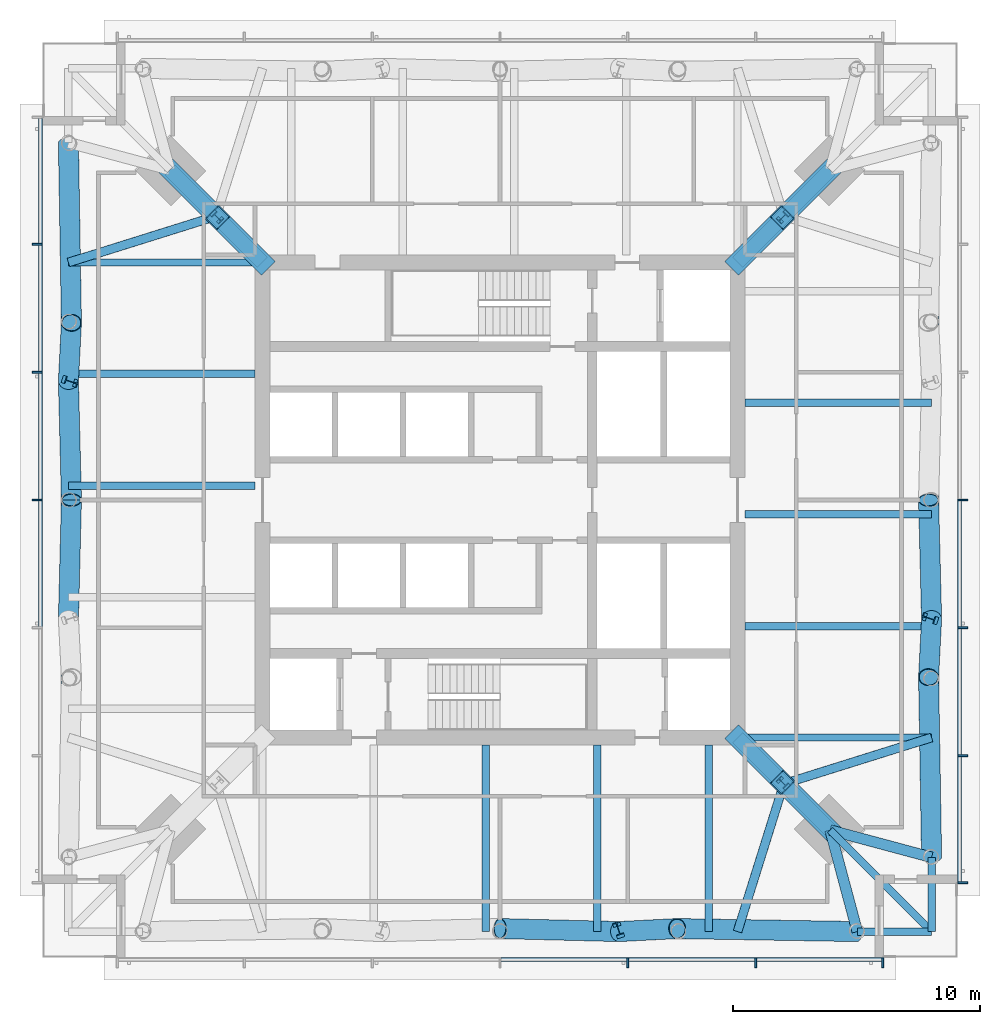
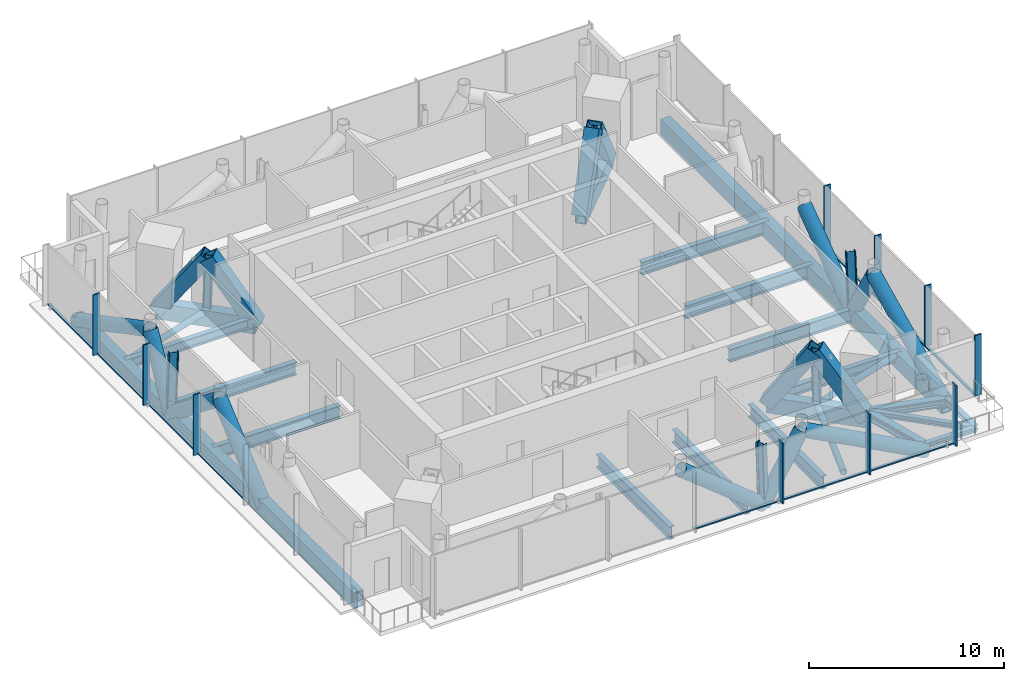
# One storey, part 2 of 10: 50 members, 15 beams, 3 elements without a shape of their own.
"""IFC4 building model written with IfcOpenShell, lengths in metres."""

from ifc_helpers import new_model, si_unit, direction, frame, origin, origin_2d, place, context, subcontext, project, spatial, rectangle, hollow_rectangle, hollow_circle, i_section, extrude, material, material_profile, profile_set, type_object, element, aggregate, save


model = new_model("IFC4")

# Units and contexts
model_context = context("Model", 3, precision=1e-05, world=origin(), true_north=direction((0.0, 1.0)))
body_context = subcontext(model_context, "Body", "Model", "MODEL_VIEW")
ifc_project = project(units=[si_unit("LENGTHUNIT", "METRE"), si_unit("AREAUNIT", "SQUARE_METRE"), si_unit("VOLUMEUNIT", "CUBIC_METRE"), si_unit("PLANEANGLEUNIT", "RADIAN"), si_unit("MASSUNIT", "GRAM", prefix="KILO")], contexts=[model_context])

# Site, building, storey
site_placement = place(None, origin())
site = spatial("IfcSite", under=ifc_project, at=site_placement, CompositionType="ELEMENT")
building_placement = place(site_placement, origin())
building = spatial("IfcBuilding", under=site, at=building_placement, Name="Ostroluk Exchange", CompositionType="ELEMENT")
storey_placement = place(building_placement, frame((0.0, 0.0, 226.199951171875)))
storey = spatial("IfcBuildingStorey", under=building, at=storey_placement, Name="L58", CompositionType="ELEMENT", Elevation=226.199951171875)

# Beams
ifc_material_1 = material(Name="Steel S355", Category="steel")
ifc_material_profile_1 = material_profile(ifc_material_1, i_section(OverallWidth=0.300048828125, OverallDepth=0.300048828125, WebThickness=0.010986328125, FlangeThickness=0.01904296875, FilletRadius=0.027099609375, at=origin_2d()), Name="HEB 300")
ifc_profile_set_1 = profile_set([ifc_material_profile_1], Name="Steel S355")
beam_type_1 = type_object("IfcBeamType", Name="Balcony beam HEB 300", PredefinedType="BEAM", material=ifc_profile_set_1)
for number, where, z_axis, x_axis, name in (
    (1, (59.44287109375, 28.55712890625, -0.429931640625), (1.0, 0.0, 0.0), (0.0, 1.0, 0.0), "T1 south balcony beam a"),
    (2, (62.44287109375, 31.55712890625, -0.429931640625), (0.0, -1.0, 0.0), (1.0, 0.0, 0.0), "T1 south balcony beam b"),
):
    element("IfcBeam", number, at=place(storey_placement, frame(where, z_axis=z_axis, x_axis=x_axis)), inside=storey, type_object=beam_type_1, Name=name, PredefinedType="BEAM", context=body_context, shape_type="SweptSolid", body=[
        extrude(i_section(OverallWidth=0.300048828125, OverallDepth=0.300048828125, WebThickness=0.010986328125, FlangeThickness=0.01904296875, FilletRadius=0.027099609375, at=origin_2d()), origin(), (0.0, 0.0, 1.0), 3.0),
    ])
beam_placement = place(storey_placement, frame((58.3427734375, 32.6572265625, -0.429931640625), z_axis=(0.707106781187, -0.707106781187, 0.0), x_axis=(0.707106781187, 0.707106781187, 0.0)))
element("IfcBeam", 3, at=beam_placement, inside=storey, type_object=beam_type_1, Name="T1 south balcony beam c", PredefinedType="BEAM", context=body_context, shape_type="SweptSolid", body=[
    extrude(i_section(OverallWidth=0.300048828125, OverallDepth=0.300048828125, WebThickness=0.010986328125, FlangeThickness=0.01904296875, FilletRadius=0.027099609375, at=origin_2d()), origin(), (0.0, 0.0, 1.0), 5.79833984375),
])

# Members
ifc_material_2 = material(Name="Steel S460", Category="steel")
ifc_material_profile_2 = material_profile(ifc_material_2, hollow_rectangle(XDim=0.60009765625, YDim=1.0, WallThickness=0.06005859375, at=origin_2d()), Name="BOX 600x1000x60")
ifc_profile_set_2 = profile_set([ifc_material_profile_2], Name="Steel S460")
member_type_1 = type_object("IfcMemberType", Name="Belt truss chord BOX 600x1000x60", PredefinedType="CHORD", material=ifc_profile_set_2)
for number, where, z_axis, x_axis, name in (
    (4, (62.44287109375, 31.55712890625, -0.780029296875), (0.0, 1.0, 0.0), (-1.0, 0.0, 0.0), "Belt truss 3 east chord 1"),
    (5, (27.55712890625, 60.44287109375, -0.780029296875), (0.0, -1.0, 0.0), (1.0, 0.0, 0.0), "Belt truss 3 west chord 1"),
):
    element("IfcMember", number, at=place(storey_placement, frame(where, z_axis=z_axis, x_axis=x_axis)), inside=storey, type_object=member_type_1, Name=name, PredefinedType="CHORD", context=body_context, shape_type="SweptSolid", body=[
        extrude(hollow_rectangle(XDim=0.60009765625, YDim=1.0, WallThickness=0.06005859375, at=origin_2d()), origin(), (0.0, 0.0, 1.0), 28.8857421875),
    ])
ifc_material_3 = material(Name="Steel S460", Category="steel")
ifc_material_profile_3 = material_profile(ifc_material_3, hollow_circle(Radius=0.406494140625, WallThickness=0.030029296875, at=origin_2d()), Name="CHS 813x30")
ifc_profile_set_3 = profile_set([ifc_material_profile_3], Name="Steel S460")
member_type_2 = type_object("IfcMemberType", Name="Belt truss diagonal CHS 813x30", PredefinedType="BRACE", material=ifc_profile_set_3)
member_1_placement = place(storey_placement, frame((62.44287109375, 31.55712890625, -0.780029296875), z_axis=(-0.014770318551, 0.886456864653, 0.462575469301), x_axis=(-0.9998612145, -0.016659884123, 0.0)))
element("IfcMember", 6, at=member_1_placement, inside=storey, type_object=member_type_2, Name="Belt truss 3 east diagonal 1.1", PredefinedType="BRACE", context=body_context, shape_type="SweptSolid", body=[
    extrude(hollow_circle(Radius=0.406494140625, WallThickness=0.030029296875, at=origin_2d()), origin(), (0.0, 0.0, 1.0), 8.215087890625),
])
member_2_placement = place(storey_placement, frame((62.44287109375, 41.185791015625, -0.780029296875), z_axis=(-0.027158569087, -0.525193174027, 0.850549552984), x_axis=(0.99866563179, -0.051642578192, 0.0)))
element("IfcMember", 7, at=member_2_placement, inside=storey, type_object=member_type_2, Name="Belt truss 3 east diagonal 1.2", PredefinedType="BRACE", context=body_context, shape_type="SweptSolid", body=[
    extrude(hollow_circle(Radius=0.406494140625, WallThickness=0.030029296875, at=origin_2d()), origin(), (0.0, 0.0, 1.0), 4.4677734375),
])
member_3_placement = place(storey_placement, frame((62.44287109375, 41.185791015625, -0.780029296875), z_axis=(-0.019779691311, 0.784780146817, 0.619458541772), x_axis=(-0.999682527469, -0.025196116241, 0.0)))
element("IfcMember", 8, at=member_3_placement, inside=storey, type_object=member_type_2, Name="Belt truss 3 east diagonal 1.3", PredefinedType="BRACE", context=body_context, shape_type="SweptSolid", body=[
    extrude(hollow_circle(Radius=0.406494140625, WallThickness=0.030029296875, at=origin_2d()), origin(), (0.0, 0.0, 1.0), 6.134521484375),
])
member_4_placement = place(storey_placement, frame((27.55712890625, 60.44287109375, -0.780029296875), z_axis=(0.014770318551, -0.886456864653, 0.462575469301), x_axis=(0.9998612145, 0.016659884123, 0.0)))
element("IfcMember", 9, at=member_4_placement, inside=storey, type_object=member_type_2, Name="Belt truss 3 west diagonal 1.1", PredefinedType="BRACE", context=body_context, shape_type="SweptSolid", body=[
    extrude(hollow_circle(Radius=0.406494140625, WallThickness=0.030029296875, at=origin_2d()), origin(), (0.0, 0.0, 1.0), 8.215087890625),
])
member_5_placement = place(storey_placement, frame((27.55712890625, 50.814208984375, -0.780029296875), z_axis=(0.027158569087, 0.525193174027, 0.850549552984), x_axis=(-0.99866563179, 0.051642578192, 0.0)))
element("IfcMember", 10, at=member_5_placement, inside=storey, type_object=member_type_2, Name="Belt truss 3 west diagonal 1.2", PredefinedType="BRACE", context=body_context, shape_type="SweptSolid", body=[
    extrude(hollow_circle(Radius=0.406494140625, WallThickness=0.030029296875, at=origin_2d()), origin(), (0.0, 0.0, 1.0), 4.4677734375),
])
for number, where, z_axis, x_axis, name in (
    (11, (27.55712890625, 50.814208984375, -0.780029296875), (0.019779691311, -0.784780146817, 0.619458541772), (0.999682527469, 0.025196116241, 0.0), "Belt truss 3 west diagonal 1.3"),
    (12, (27.55712890625, 41.185791015625, -0.780029296875), (0.019779691311, 0.784780146817, 0.619458541772), (-0.999682527469, 0.025196116241, 0.0), "Belt truss 3 west diagonal 1.4"),
    (13, (49.814208984375, 28.55712890625, -0.780029296875), (-0.784780146817, 0.019779691311, 0.619458541772), (-0.025196116241, -0.999682527469, 0.0), "Belt truss 3 south diagonal 1.4"),
):
    element("IfcMember", number, at=place(storey_placement, frame(where, z_axis=z_axis, x_axis=x_axis)), inside=storey, type_object=member_type_2, Name=name, PredefinedType="BRACE", context=body_context, shape_type="SweptSolid", body=[
        extrude(hollow_circle(Radius=0.406494140625, WallThickness=0.030029296875, at=origin_2d()), origin(), (0.0, 0.0, 1.0), 6.134521484375),
    ])
member_6_placement = place(storey_placement, frame((49.814208984375, 28.55712890625, -0.780029296875), z_axis=(0.525193174027, 0.027158569087, 0.850549552984), x_axis=(-0.051642578192, 0.99866563179, 0.0)))
element("IfcMember", 14, at=member_6_placement, inside=storey, type_object=member_type_2, Name="Belt truss 3 south diagonal 1.5", PredefinedType="BRACE", context=body_context, shape_type="SweptSolid", body=[
    extrude(hollow_circle(Radius=0.406494140625, WallThickness=0.030029296875, at=origin_2d()), origin(), (0.0, 0.0, 1.0), 4.4677734375),
])
member_7_placement = place(storey_placement, frame((59.44287109375, 28.55712890625, -0.780029296875), z_axis=(-0.886456864653, 0.014770318551, 0.462575469301), x_axis=(-0.016659884123, -0.9998612145, 0.0)))
element("IfcMember", 15, at=member_7_placement, inside=storey, type_object=member_type_2, Name="Belt truss 3 south diagonal 1.6", PredefinedType="BRACE", context=body_context, shape_type="SweptSolid", body=[
    extrude(hollow_circle(Radius=0.406494140625, WallThickness=0.030029296875, at=origin_2d()), origin(), (0.0, 0.0, 1.0), 8.215087890625),
])
ifc_material_4 = material(Name="Steel S460", Category="steel")
ifc_material_profile_4 = material_profile(ifc_material_4, i_section(OverallWidth=0.305908203125, OverallDepth=0.52392578125, WebThickness=0.02099609375, FlangeThickness=0.0400390625, FilletRadius=0.027099609375, at=origin_2d()), Name="HEM 500")
ifc_profile_set_4 = profile_set([ifc_material_profile_4], Name="Steel S460")
member_type_3 = type_object("IfcMemberType", Name="Belt truss post HEM 500", PredefinedType="POST", material=ifc_profile_set_4)
for number, where, z_axis, x_axis, name in (
    (16, (62.44287109375, 41.185791015625, -0.780029296875), (-0.031912557129, 0.010594712125, 0.999434510497), (-0.315081783451, -0.949064523485, 0.0), "Belt truss 3 east post 1.2"),
    (17, (27.55712890625, 50.814208984375, -0.780029296875), (0.031912557129, -0.010594712125, 0.999434510497), (0.315081783451, 0.949064523485, 0.0), "Belt truss 3 west post 1.2"),
    (18, (49.814208984375, 28.55712890625, -0.780029296875), (-0.010594712125, 0.031912557129, 0.999434510497), (-0.949064523485, -0.315081783451, 0.0), "Belt truss 3 south post 1.4"),
):
    element("IfcMember", number, at=place(storey_placement, frame(where, z_axis=z_axis, x_axis=x_axis)), inside=storey, type_object=member_type_3, Name=name, PredefinedType="POST", context=body_context, shape_type="SweptSolid", body=[
        extrude(i_section(OverallWidth=0.305908203125, OverallDepth=0.52392578125, WebThickness=0.02099609375, FlangeThickness=0.0400390625, FilletRadius=0.027099609375, at=origin_2d()), origin(), (0.0, 0.0, 1.0), 3.80224609375),
    ])

# Beams
ifc_material_5 = material(Name="Steel S460", Category="steel")
ifc_material_profile_5 = material_profile(ifc_material_5, i_section(OverallWidth=0.431884765625, OverallDepth=0.498046875, WebThickness=0.0556640625, FlangeThickness=0.0888671875, FilletRadius=0.014892578125, at=origin_2d()), Name="HD 400x744")
ifc_profile_set_5 = profile_set([ifc_material_profile_5], Name="Steel S460")
beam_type_2 = type_object("IfcBeamType", Name="Corner edge beam HD 400x744", PredefinedType="SPANDREL", material=ifc_profile_set_5)
for number, where, z_axis, x_axis, name in (
    (19, (58.3427734375, 32.6572265625, -0.529052734375), (0.259144268261, -0.965838624319, 0.0), (0.965838624319, 0.259144268261, 0.0), "T1 south corner edge beam a"),
    (20, (58.3427734375, 32.6572265625, -0.529052734375), (0.965838624319, -0.259144268261, 0.0), (0.259144268261, 0.965838624319, 0.0), "T1 south corner edge beam b"),
):
    element("IfcBeam", number, at=place(storey_placement, frame(where, z_axis=z_axis, x_axis=x_axis)), inside=storey, type_object=beam_type_2, Name=name, PredefinedType="SPANDREL", context=body_context, shape_type="SweptSolid", body=[
        extrude(i_section(OverallWidth=0.431884765625, OverallDepth=0.498046875, WebThickness=0.0556640625, FlangeThickness=0.0888671875, FilletRadius=0.014892578125, at=origin_2d()), origin(), (0.0, 0.0, 1.0), 4.2451171875),
    ])
ifc_material_6 = material(Name="Steel S355", Category="steel")
ifc_material_profile_6 = material_profile(ifc_material_6, i_section(OverallWidth=0.302978515625, OverallDepth=0.81396484375, WebThickness=0.02099609375, FlangeThickness=0.0400390625, FilletRadius=0.030029296875, at=origin_2d()), Name="HEM 800")
ifc_profile_set_6 = profile_set([ifc_material_profile_6], Name="Steel S355")
beam_type_3 = type_object("IfcBeamType", Name="Floor beam HEM 800", PredefinedType="BEAM", material=ifc_profile_set_6)
for number, where, z_axis, x_axis, name in (
    (21, (54.89990234375, 40.9072265625, -0.68701171875), (1.0, 0.0, 0.0), (0.0, 1.0, 0.0), "T1 east floor beam 1"),
    (22, (54.89990234375, 45.414306640625, -0.68701171875), (1.0, 0.0, 0.0), (0.0, 1.0, 0.0), "T1 east floor beam 2"),
    (23, (54.89990234375, 49.92138671875, -0.68701171875), (1.0, 0.0, 0.0), (0.0, 1.0, 0.0), "T1 east floor beam 3"),
    (24, (35.10009765625, 51.0927734375, -0.68701171875), (-1.0, 0.0, 0.0), (0.0, -1.0, 0.0), "T1 west floor beam 1"),
    (25, (35.10009765625, 46.585693359375, -0.68701171875), (-1.0, 0.0, 0.0), (0.0, -1.0, 0.0), "T1 west floor beam 2"),
    (26, (44.414306640625, 36.10009765625, -0.68701171875), (0.0, -1.0, 0.0), (1.0, 0.0, 0.0), "T1 south floor beam 2"),
    (27, (48.92138671875, 36.10009765625, -0.68701171875), (0.0, -1.0, 0.0), (1.0, 0.0, 0.0), "T1 south floor beam 3"),
    (28, (53.428466796875, 36.10009765625, -0.68701171875), (0.0, -1.0, 0.0), (1.0, 0.0, 0.0), "T1 south floor beam 4"),
):
    element("IfcBeam", number, at=place(storey_placement, frame(where, z_axis=z_axis, x_axis=x_axis)), inside=storey, type_object=beam_type_3, Name=name, PredefinedType="BEAM", context=body_context, shape_type="SweptSolid", body=[
        extrude(i_section(OverallWidth=0.302978515625, OverallDepth=0.81396484375, WebThickness=0.02099609375, FlangeThickness=0.0400390625, FilletRadius=0.030029296875, at=origin_2d()), origin(), (0.0, 0.0, 1.0), 7.54296875),
    ])
ifc_material_7 = material(Name="Steel S355", Category="steel")
ifc_material_profile_7 = material_profile(ifc_material_7, i_section(OverallWidth=0.300048828125, OverallDepth=0.60009765625, WebThickness=0.015380859375, FlangeThickness=0.030029296875, FilletRadius=0.027099609375, at=origin_2d()), Name="HEB 600")
ifc_profile_set_7 = profile_set([ifc_material_profile_7], Name="Steel S355")
beam_type_4 = type_object("IfcBeamType", Name="Girder HEB 600", PredefinedType="BEAM", material=ifc_profile_set_7)
for number, where, z_axis, x_axis, name in (
    (29, (35.10009765625, 55.60009765625, -0.579833984375), (-1.0, 0.0, 0.0), (0.0, -1.0, 0.0), "T1 north girder"),
    (30, (54.89990234375, 36.39990234375, -0.579833984375), (1.0, 0.0, 0.0), (0.0, 1.0, 0.0), "T1 south girder"),
):
    element("IfcBeam", number, at=place(storey_placement, frame(where, z_axis=z_axis, x_axis=x_axis)), inside=storey, type_object=beam_type_4, Name=name, PredefinedType="BEAM", context=body_context, shape_type="SweptSolid", body=[
        extrude(i_section(OverallWidth=0.300048828125, OverallDepth=0.60009765625, WebThickness=0.015380859375, FlangeThickness=0.030029296875, FilletRadius=0.027099609375, at=origin_2d()), origin(), (0.0, 0.0, 1.0), 7.54296875),
    ])

# Members
ifc_material_8 = material(Name="Steel S460", Category="steel")
ifc_material_profile_8 = material_profile(ifc_material_8, hollow_rectangle(XDim=0.60009765625, YDim=1.0, WallThickness=0.06005859375, at=origin_2d()), Name="BOX 600x1000x60")
ifc_profile_set_8 = profile_set([ifc_material_profile_8], Name="Steel S460")
member_type_4 = type_object("IfcMemberType", Name="Outrigger chord BOX 600x1000x60", PredefinedType="CHORD", material=ifc_profile_set_8)
for number, where, z_axis, x_axis, name in (
    (31, (54.60009765625, 55.60009765625, -0.780029296875), (0.707106781187, 0.707106781187, 0.0), (-0.707106781187, 0.707106781187, 0.0), "Outrigger 3 NE chord 1"),
    (32, (35.39990234375, 55.60009765625, -0.780029296875), (-0.707106781187, 0.707106781187, 0.0), (-0.707106781187, -0.707106781187, 0.0), "Outrigger 3 NW chord 1"),
    (33, (54.60009765625, 36.39990234375, -0.780029296875), (0.707106781187, -0.707106781187, 0.0), (0.707106781187, 0.707106781187, 0.0), "Outrigger 3 SE chord 1"),
):
    element("IfcMember", number, at=place(storey_placement, frame(where, z_axis=z_axis, x_axis=x_axis)), inside=storey, type_object=member_type_4, Name=name, PredefinedType="CHORD", context=body_context, shape_type="SweptSolid", body=[
        extrude(hollow_rectangle(XDim=0.60009765625, YDim=1.0, WallThickness=0.06005859375, at=origin_2d()), origin(), (0.0, 0.0, 1.0), 5.29296875),
    ])
ifc_material_9 = material(Name="Steel S460", Category="steel")
ifc_material_profile_9 = material_profile(ifc_material_9, hollow_rectangle(XDim=0.800048828125, YDim=0.800048828125, WallThickness=0.050048828125, at=origin_2d()), Name="BOX 800x800x50")
ifc_profile_set_9 = profile_set([ifc_material_profile_9], Name="Steel S460")
member_type_5 = type_object("IfcMemberType", Name="Outrigger diagonal BOX 800x800x50", PredefinedType="BRACE", material=ifc_profile_set_9)
member_8_placement = place(storey_placement, frame((54.60009765625, 55.60009765625, -0.780029296875), z_axis=(0.395126355487, 0.395126355487, 0.829307136349), x_axis=(-0.707106781187, 0.707106781187, 0.0)))
element("IfcMember", 34, at=member_8_placement, inside=storey, type_object=member_type_5, Name="Outrigger 3 NE diagonal 1a", PredefinedType="BRACE", context=body_context, shape_type="SweptSolid", body=[
    extrude(hollow_rectangle(XDim=0.800048828125, YDim=0.800048828125, WallThickness=0.050048828125, at=origin_2d()), origin(), (0.0, 0.0, 1.0), 4.582275390625),
])
member_9_placement = place(storey_placement, frame((56.41064453125, 57.41064453125, 3.02001953125), z_axis=(0.412808334436, 0.412808334436, -0.811898120481), x_axis=(-0.707106781187, 0.707106781187, 0.0)))
element("IfcMember", 35, at=member_9_placement, inside=storey, type_object=member_type_5, Name="Outrigger 3 NE diagonal 1b", PredefinedType="BRACE", context=body_context, shape_type="SweptSolid", body=[
    extrude(hollow_rectangle(XDim=0.800048828125, YDim=0.800048828125, WallThickness=0.050048828125, at=origin_2d()), origin(), (0.0, 0.0, 1.0), 4.680419921875),
])
member_10_placement = place(storey_placement, frame((35.39990234375, 55.60009765625, -0.780029296875), z_axis=(-0.395126355487, 0.395126355487, 0.829307136349), x_axis=(-0.707106781187, -0.707106781187, 0.0)))
element("IfcMember", 36, at=member_10_placement, inside=storey, type_object=member_type_5, Name="Outrigger 3 NW diagonal 1a", PredefinedType="BRACE", context=body_context, shape_type="SweptSolid", body=[
    extrude(hollow_rectangle(XDim=0.800048828125, YDim=0.800048828125, WallThickness=0.050048828125, at=origin_2d()), origin(), (0.0, 0.0, 1.0), 4.582275390625),
])
member_11_placement = place(storey_placement, frame((33.58935546875, 57.41064453125, 3.02001953125), z_axis=(-0.412808334436, 0.412808334436, -0.811898120481), x_axis=(-0.707106781187, -0.707106781187, 0.0)))
element("IfcMember", 37, at=member_11_placement, inside=storey, type_object=member_type_5, Name="Outrigger 3 NW diagonal 1b", PredefinedType="BRACE", context=body_context, shape_type="SweptSolid", body=[
    extrude(hollow_rectangle(XDim=0.800048828125, YDim=0.800048828125, WallThickness=0.050048828125, at=origin_2d()), origin(), (0.0, 0.0, 1.0), 4.680419921875),
])
member_12_placement = place(storey_placement, frame((54.60009765625, 36.39990234375, -0.780029296875), z_axis=(0.395126355487, -0.395126355487, 0.829307136349), x_axis=(0.707106781187, 0.707106781187, 0.0)))
element("IfcMember", 38, at=member_12_placement, inside=storey, type_object=member_type_5, Name="Outrigger 3 SE diagonal 1a", PredefinedType="BRACE", context=body_context, shape_type="SweptSolid", body=[
    extrude(hollow_rectangle(XDim=0.800048828125, YDim=0.800048828125, WallThickness=0.050048828125, at=origin_2d()), origin(), (0.0, 0.0, 1.0), 4.582275390625),
])
member_13_placement = place(storey_placement, frame((56.41064453125, 34.58935546875, 3.02001953125), z_axis=(0.412808334436, -0.412808334436, -0.811898120481), x_axis=(0.707106781187, 0.707106781187, 0.0)))
element("IfcMember", 39, at=member_13_placement, inside=storey, type_object=member_type_5, Name="Outrigger 3 SE diagonal 1b", PredefinedType="BRACE", context=body_context, shape_type="SweptSolid", body=[
    extrude(hollow_rectangle(XDim=0.800048828125, YDim=0.800048828125, WallThickness=0.050048828125, at=origin_2d()), origin(), (0.0, 0.0, 1.0), 4.680419921875),
])
ifc_material_10 = material(Name="Steel S460", Category="steel")
ifc_material_profile_10 = material_profile(ifc_material_10, i_section(OverallWidth=0.306884765625, OverallDepth=0.431884765625, WebThickness=0.02099609375, FlangeThickness=0.0400390625, FilletRadius=0.027099609375, at=origin_2d()), Name="HEM 400")
ifc_profile_set_10 = profile_set([ifc_material_profile_10], Name="Steel S460")
member_type_6 = type_object("IfcMemberType", Name="Outrigger post HEM 400", PredefinedType="POST", material=ifc_profile_set_10)
for number, where, z_axis, x_axis, name in (
    (40, (56.471435546875, 57.471435546875, -0.780029296875), (-0.015993337676, -0.015993337676, 0.999744180428), (0.707106781187, -0.707106781187, 0.0), "Outrigger 3 NE post 1"),
    (41, (33.528564453125, 57.471435546875, -0.780029296875), (0.015993337676, -0.015993337676, 0.999744180428), (0.707106781187, 0.707106781187, 0.0), "Outrigger 3 NW post 1"),
    (42, (56.471435546875, 34.528564453125, -0.780029296875), (-0.015993337676, 0.015993337676, 0.999744180428), (-0.707106781187, -0.707106781187, 0.0), "Outrigger 3 SE post 1"),
):
    element("IfcMember", number, at=place(storey_placement, frame(where, z_axis=z_axis, x_axis=x_axis)), inside=storey, type_object=member_type_6, Name=name, PredefinedType="POST", context=body_context, shape_type="SweptSolid", body=[
        extrude(i_section(OverallWidth=0.306884765625, OverallDepth=0.431884765625, WebThickness=0.02099609375, FlangeThickness=0.0400390625, FilletRadius=0.027099609375, at=origin_2d()), origin(), (0.0, 0.0, 1.0), 3.801025390625),
    ])
ifc_material_11 = material(Name="Steel S460", Category="steel")
ifc_material_profile_11 = material_profile(ifc_material_11, hollow_circle(Radius=0.177734375, WallThickness=0.012451171875, at=origin_2d()), Name="CHS 355.6x12.5")
ifc_profile_set_11 = profile_set([ifc_material_profile_11], Name="Steel S460")
member_type_7 = type_object("IfcMemberType", Name="Plan bracing CHS 355.6x12.5", PredefinedType="BRACE", material=ifc_profile_set_11)
for number, where, z_axis, x_axis, name in (
    (43, (33.528564453125, 57.471435546875, -0.457763671875), (-0.954240172412, -0.299041290385, 0.0), (0.299041290385, -0.954240172412, 0.0), "Plan bracing L58 NW b"),
    (44, (56.471435546875, 34.528564453125, -0.457763671875), (-0.299041290385, -0.954240172412, 0.0), (0.954240172412, -0.299041290385, 0.0), "Plan bracing L58 SE a"),
    (45, (56.471435546875, 34.528564453125, -0.457763671875), (0.954240172412, 0.299041290385, 0.0), (-0.299041290385, 0.954240172412, 0.0), "Plan bracing L58 SE b"),
):
    element("IfcMember", number, at=place(storey_placement, frame(where, z_axis=z_axis, x_axis=x_axis)), inside=storey, type_object=member_type_7, Name=name, PredefinedType="BRACE", context=body_context, shape_type="SweptSolid", body=[
        extrude(hollow_circle(Radius=0.177734375, WallThickness=0.012451171875, at=origin_2d()), origin(), (0.0, 0.0, 1.0), 6.2578125),
    ])

# Curtain wall, members
ifc_material_12 = material(Name="Laminated clear glass", Category="glass")
curtain_wall_type = type_object("IfcCurtainWallType", Name="Office tower plant and sky lobby facade", PredefinedType="USERDEFINED", material=ifc_material_12)
curtain_wall_1_placement = place(storey_placement, origin())
curtain_wall_1 = element("IfcCurtainWall", 46, at=curtain_wall_1_placement, inside=storey, type_object=curtain_wall_type, Name="Office tower south facade L58", ObjectType="LOUVRED CURTAIN WALL", PredefinedType="USERDEFINED")
ifc_material_13 = material(Name="Aluminium mullion", Category="aluminium")
ifc_material_profile_12 = material_profile(ifc_material_13, rectangle(XDim=0.14990234375, YDim=0.080078125, at=origin_2d()), Name="Sill transom 80 x 150")
ifc_profile_set_12 = profile_set([ifc_material_profile_12], Name="Aluminium mullion")
member_type_8 = type_object("IfcMemberType", Name="Sill transom 80 x 150", PredefinedType="USERDEFINED", material=ifc_profile_set_12)
member_14_placement = place(storey_placement, frame((45.0400390625, 27.425048828125, 0.0400390625), z_axis=(1.0, 0.0, 0.0), x_axis=(0.0, 1.0, 0.0)))
member_14 = element("IfcMember", 47, at=member_14_placement, type_object=member_type_8, Name="CW-P1 transom 4.1", ObjectType="TRANSOM", PredefinedType="USERDEFINED", context=body_context, shape_type="SweptSolid", body=[
    extrude(rectangle(XDim=0.14990234375, YDim=0.080078125, at=origin_2d()), origin(), (0.0, 0.0, 1.0), 5.086669921875),
])
member_15_placement = place(storey_placement, frame((50.206787109375, 27.425048828125, 0.0400390625), z_axis=(1.0, 0.0, 0.0), x_axis=(0.0, 1.0, 0.0)))
member_15 = element("IfcMember", 48, at=member_15_placement, type_object=member_type_8, Name="CW-P1 transom 5.1", ObjectType="TRANSOM", PredefinedType="USERDEFINED", context=body_context, shape_type="SweptSolid", body=[
    extrude(rectangle(XDim=0.14990234375, YDim=0.080078125, at=origin_2d()), origin(), (0.0, 0.0, 1.0), 5.08642578125),
])
member_16_placement = place(storey_placement, frame((55.373291015625, 27.425048828125, 0.0400390625), z_axis=(1.0, 0.0, 0.0), x_axis=(0.0, 1.0, 0.0)))
member_16 = element("IfcMember", 49, at=member_16_placement, type_object=member_type_8, Name="CW-P1 transom 6.1", ObjectType="TRANSOM", PredefinedType="USERDEFINED", context=body_context, shape_type="SweptSolid", body=[
    extrude(rectangle(XDim=0.14990234375, YDim=0.080078125, at=origin_2d()), origin(), (0.0, 0.0, 1.0), 5.046630859375),
])

curtain_wall_2_placement = place(storey_placement, origin())
curtain_wall_2 = element("IfcCurtainWall", 50, at=curtain_wall_2_placement, inside=storey, type_object=curtain_wall_type, Name="Office tower east facade L58", ObjectType="LOUVRED CURTAIN WALL", PredefinedType="USERDEFINED")
member_17_placement = place(storey_placement, frame((63.574951171875, 30.580078125, 0.0400390625), z_axis=(0.0, 1.0, 0.0), x_axis=(-1.0, 0.0, 0.0)))
member_17 = element("IfcMember", 51, at=member_17_placement, type_object=member_type_8, Name="CW-P1 transom 1.1", ObjectType="TRANSOM", PredefinedType="USERDEFINED", context=body_context, shape_type="SweptSolid", body=[
    extrude(rectangle(XDim=0.14990234375, YDim=0.080078125, at=origin_2d()), origin(), (0.0, 0.0, 1.0), 5.046630859375),
])
member_18_placement = place(storey_placement, frame((63.574951171875, 35.706787109375, 0.0400390625), z_axis=(0.0, 1.0, 0.0), x_axis=(-1.0, 0.0, 0.0)))
member_18 = element("IfcMember", 52, at=member_18_placement, type_object=member_type_8, Name="CW-P1 transom 2.1", ObjectType="TRANSOM", PredefinedType="USERDEFINED", context=body_context, shape_type="SweptSolid", body=[
    extrude(rectangle(XDim=0.14990234375, YDim=0.080078125, at=origin_2d()), origin(), (0.0, 0.0, 1.0), 5.08642578125),
])
member_19_placement = place(storey_placement, frame((63.574951171875, 40.873291015625, 0.0400390625), z_axis=(0.0, 1.0, 0.0), x_axis=(-1.0, 0.0, 0.0)))
member_19 = element("IfcMember", 53, at=member_19_placement, type_object=member_type_8, Name="CW-P1 transom 3.1", ObjectType="TRANSOM", PredefinedType="USERDEFINED", context=body_context, shape_type="SweptSolid", body=[
    extrude(rectangle(XDim=0.14990234375, YDim=0.080078125, at=origin_2d()), origin(), (0.0, 0.0, 1.0), 5.086669921875),
])

curtain_wall_3_placement = place(storey_placement, origin())
curtain_wall_3 = element("IfcCurtainWall", 54, at=curtain_wall_3_placement, inside=storey, type_object=curtain_wall_type, Name="Office tower west facade L58", ObjectType="LOUVRED CURTAIN WALL", PredefinedType="USERDEFINED")
member_20_placement = place(storey_placement, frame((26.425048828125, 61.419921875, 0.0400390625), z_axis=(0.0, -1.0, 0.0), x_axis=(1.0, 0.0, 0.0)))
member_20 = element("IfcMember", 55, at=member_20_placement, type_object=member_type_8, Name="CW-P1 transom 1.1", ObjectType="TRANSOM", PredefinedType="USERDEFINED", context=body_context, shape_type="SweptSolid", body=[
    extrude(rectangle(XDim=0.14990234375, YDim=0.080078125, at=origin_2d()), origin(), (0.0, 0.0, 1.0), 5.046630859375),
])
member_21_placement = place(storey_placement, frame((26.425048828125, 56.293212890625, 0.0400390625), z_axis=(0.0, -1.0, 0.0), x_axis=(1.0, 0.0, 0.0)))
member_21 = element("IfcMember", 56, at=member_21_placement, type_object=member_type_8, Name="CW-P1 transom 2.1", ObjectType="TRANSOM", PredefinedType="USERDEFINED", context=body_context, shape_type="SweptSolid", body=[
    extrude(rectangle(XDim=0.14990234375, YDim=0.080078125, at=origin_2d()), origin(), (0.0, 0.0, 1.0), 5.08642578125),
])
member_22_placement = place(storey_placement, frame((26.425048828125, 51.126708984375, 0.0400390625), z_axis=(0.0, -1.0, 0.0), x_axis=(1.0, 0.0, 0.0)))
member_22 = element("IfcMember", 57, at=member_22_placement, type_object=member_type_8, Name="CW-P1 transom 3.1", ObjectType="TRANSOM", PredefinedType="USERDEFINED", context=body_context, shape_type="SweptSolid", body=[
    extrude(rectangle(XDim=0.14990234375, YDim=0.080078125, at=origin_2d()), origin(), (0.0, 0.0, 1.0), 5.086669921875),
])
member_23_placement = place(storey_placement, frame((26.425048828125, 45.9599609375, 0.0400390625), z_axis=(0.0, -1.0, 0.0), x_axis=(1.0, 0.0, 0.0)))
member_23 = element("IfcMember", 58, at=member_23_placement, type_object=member_type_8, Name="CW-P1 transom 4.1", ObjectType="TRANSOM", PredefinedType="USERDEFINED", context=body_context, shape_type="SweptSolid", body=[
    extrude(rectangle(XDim=0.14990234375, YDim=0.080078125, at=origin_2d()), origin(), (0.0, 0.0, 1.0), 5.086669921875),
])

# Member
ifc_material_14 = material(Name="Aluminium mullion with limestone facing", Category="masonry")
ifc_material_profile_13 = material_profile(ifc_material_14, rectangle(XDim=0.39990234375, YDim=0.080078125, at=origin_2d()), Name="Tracery mullion 80 x 400")
ifc_profile_set_13 = profile_set([ifc_material_profile_13], Name="Aluminium mullion with limestone facing")
member_type_9 = type_object("IfcMemberType", Name="Tracery mullion 80 x 400", PredefinedType="MULLION", material=ifc_profile_set_13)
member_24_placement = place(storey_placement, frame((50.166748046875, 27.300048828125, 0.0), z_axis=(0.0, 0.0, 1.0), x_axis=(0.0, 1.0, 0.0)))
member_24 = element("IfcMember", 59, at=member_24_placement, type_object=member_type_9, Name="CW-P1 mullion 5", PredefinedType="MULLION", context=body_context, shape_type="SweptSolid", body=[
    extrude(rectangle(XDim=0.39990234375, YDim=0.080078125, at=origin_2d()), origin(), (0.0, 0.0, 1.0), 3.800048828125),
])

member_25_placement = place(storey_placement, frame((55.333251953125, 27.300048828125, 0.0), z_axis=(0.0, 0.0, 1.0), x_axis=(0.0, 1.0, 0.0)))
member_25 = element("IfcMember", 60, at=member_25_placement, type_object=member_type_9, Name="CW-P1 mullion 6", PredefinedType="MULLION", context=body_context, shape_type="SweptSolid", body=[
    extrude(rectangle(XDim=0.39990234375, YDim=0.080078125, at=origin_2d()), origin(), (0.0, 0.0, 1.0), 3.800048828125),
])

member_26_placement = place(storey_placement, frame((60.4599609375, 27.300048828125, 0.0), z_axis=(0.0, 0.0, 1.0), x_axis=(0.0, 1.0, 0.0)))
member_26 = element("IfcMember", 61, at=member_26_placement, type_object=member_type_9, Name="CW-P1 mullion 7", PredefinedType="MULLION", context=body_context, shape_type="SweptSolid", body=[
    extrude(rectangle(XDim=0.39990234375, YDim=0.080078125, at=origin_2d()), origin(), (0.0, 0.0, 1.0), 3.800048828125),
])

aggregate(curtain_wall_1, [member_24, member_25, member_26, member_14, member_15, member_16])

member_27_placement = place(storey_placement, frame((63.699951171875, 30.5400390625, 0.0), z_axis=(0.0, 0.0, 1.0), x_axis=(-1.0, 0.0, 0.0)))
member_27 = element("IfcMember", 62, at=member_27_placement, type_object=member_type_9, Name="CW-P1 mullion 1", PredefinedType="MULLION", context=body_context, shape_type="SweptSolid", body=[
    extrude(rectangle(XDim=0.39990234375, YDim=0.080078125, at=origin_2d()), origin(), (0.0, 0.0, 1.0), 3.800048828125),
])

member_28_placement = place(storey_placement, frame((63.699951171875, 35.666748046875, 0.0), z_axis=(0.0, 0.0, 1.0), x_axis=(-1.0, 0.0, 0.0)))
member_28 = element("IfcMember", 63, at=member_28_placement, type_object=member_type_9, Name="CW-P1 mullion 2", PredefinedType="MULLION", context=body_context, shape_type="SweptSolid", body=[
    extrude(rectangle(XDim=0.39990234375, YDim=0.080078125, at=origin_2d()), origin(), (0.0, 0.0, 1.0), 3.800048828125),
])

member_29_placement = place(storey_placement, frame((63.699951171875, 40.833251953125, 0.0), z_axis=(0.0, 0.0, 1.0), x_axis=(-1.0, 0.0, 0.0)))
member_29 = element("IfcMember", 64, at=member_29_placement, type_object=member_type_9, Name="CW-P1 mullion 3", PredefinedType="MULLION", context=body_context, shape_type="SweptSolid", body=[
    extrude(rectangle(XDim=0.39990234375, YDim=0.080078125, at=origin_2d()), origin(), (0.0, 0.0, 1.0), 3.800048828125),
])

member_30_placement = place(storey_placement, frame((63.699951171875, 46.0, 0.0), z_axis=(0.0, 0.0, 1.0), x_axis=(-1.0, 0.0, 0.0)))
member_30 = element("IfcMember", 65, at=member_30_placement, type_object=member_type_9, Name="CW-P1 mullion 4", PredefinedType="MULLION", context=body_context, shape_type="SweptSolid", body=[
    extrude(rectangle(XDim=0.39990234375, YDim=0.080078125, at=origin_2d()), origin(), (0.0, 0.0, 1.0), 3.800048828125),
])

aggregate(curtain_wall_2, [member_27, member_28, member_29, member_30, member_17, member_18, member_19])

member_31_placement = place(storey_placement, frame((26.300048828125, 56.333251953125, 0.0), z_axis=(0.0, 0.0, 1.0), x_axis=(1.0, 0.0, 0.0)))
member_31 = element("IfcMember", 66, at=member_31_placement, type_object=member_type_9, Name="CW-P1 mullion 2", PredefinedType="MULLION", context=body_context, shape_type="SweptSolid", body=[
    extrude(rectangle(XDim=0.39990234375, YDim=0.080078125, at=origin_2d()), origin(), (0.0, 0.0, 1.0), 3.800048828125),
])

member_32_placement = place(storey_placement, frame((26.300048828125, 51.166748046875, 0.0), z_axis=(0.0, 0.0, 1.0), x_axis=(1.0, 0.0, 0.0)))
member_32 = element("IfcMember", 67, at=member_32_placement, type_object=member_type_9, Name="CW-P1 mullion 3", PredefinedType="MULLION", context=body_context, shape_type="SweptSolid", body=[
    extrude(rectangle(XDim=0.39990234375, YDim=0.080078125, at=origin_2d()), origin(), (0.0, 0.0, 1.0), 3.800048828125),
])

member_33_placement = place(storey_placement, frame((26.300048828125, 46.0, 0.0), z_axis=(0.0, 0.0, 1.0), x_axis=(1.0, 0.0, 0.0)))
member_33 = element("IfcMember", 68, at=member_33_placement, type_object=member_type_9, Name="CW-P1 mullion 4", PredefinedType="MULLION", context=body_context, shape_type="SweptSolid", body=[
    extrude(rectangle(XDim=0.39990234375, YDim=0.080078125, at=origin_2d()), origin(), (0.0, 0.0, 1.0), 3.800048828125),
])

aggregate(curtain_wall_3, [member_31, member_32, member_33, member_20, member_21, member_22, member_23])

save(model, "model.ifc")
